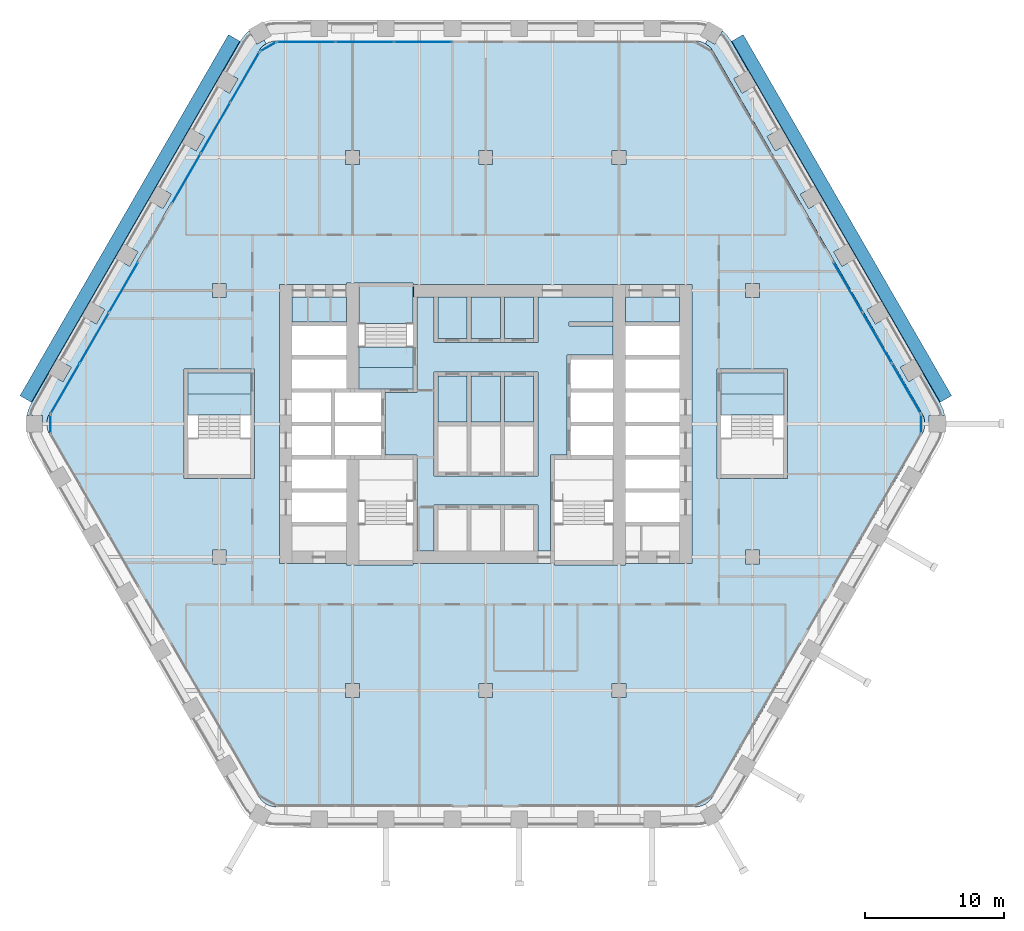
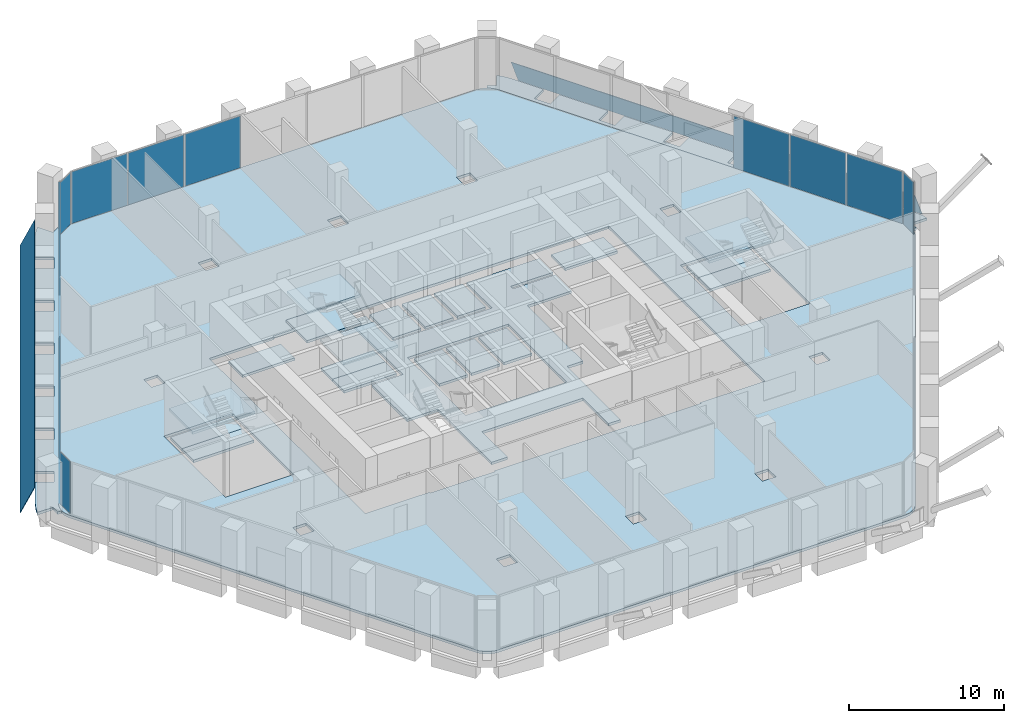
# One storey, part 12 of 24: 23 slabs, 17 plates, 10 elements without a shape of their own.
"""IFC4 building model written with IfcOpenShell, lengths in metres."""

from ifc_helpers import new_model, si_unit, direction, frame, origin, origin_2d, place, context, subcontext, project, spatial, polyline, rectangle, outline, extrude, material, layer, layer_set, type_object, element, aggregate, save


model = new_model("IFC4")

# Units and contexts
model_context = context("Model", 3, precision=1e-05, world=origin(), true_north=direction((0.0, 1.0)))
body_context = subcontext(model_context, "Body", "Model", "MODEL_VIEW")
ifc_project = project(units=[si_unit("LENGTHUNIT", "METRE"), si_unit("AREAUNIT", "SQUARE_METRE"), si_unit("VOLUMEUNIT", "CUBIC_METRE"), si_unit("PLANEANGLEUNIT", "RADIAN"), si_unit("MASSUNIT", "GRAM", prefix="KILO")], contexts=[model_context])

# Site, building, storey
site_placement = place(None, origin())
site = spatial("IfcSite", under=ifc_project, at=site_placement, CompositionType="ELEMENT")
building_placement = place(site_placement, origin())
building = spatial("IfcBuilding", under=site, at=building_placement, Name="Kolab Exchange Tower", CompositionType="ELEMENT")
storey_placement = place(building_placement, frame((0.0, 0.0, 86.89990234375)))
storey = spatial("IfcBuildingStorey", under=building, at=storey_placement, Name="L16", CompositionType="ELEMENT", Elevation=86.89990234375)

# Slabs
ifc_material_1 = material(Name="Concrete C35/45", Category="concrete")
ifc_layer_1 = layer(ifc_material_1, 0.199951171875)
ifc_layer_set_1 = layer_set([ifc_layer_1], Name="Concrete C35/45")
slab_type_1 = type_object("IfcSlabType", Name="FLOOR SLAB 200", PredefinedType="FLOOR", material=ifc_layer_set_1)
slab_1_placement = place(storey_placement, frame((0.0, 0.0, -0.199951171875)))
element("IfcSlab", 1, at=slab_1_placement, inside=storey, type_object=slab_type_1, Name="slab/L16/floor/0", PredefinedType="FLOOR", context=body_context, shape_type="SweptSolid", body=[
    extrude(outline(polyline([(16.366943359375, -26.848388671875), (31.434814453125, -0.75), (31.54541015625, -0.512939453125), (31.613037109375, -0.260498046875), (31.635986328125, 0.0), (31.613037109375, 0.260498046875), (31.54541015625, 0.512939453125), (31.434814453125, 0.75), (16.366943359375, 26.848388671875), (16.217041015625, 27.062744140625), (16.0322265625, 27.24755859375), (15.81787109375, 27.3974609375), (15.5810546875, 27.508056640625), (15.328369140625, 27.57568359375), (15.06787109375, 27.598388671875), (-15.06787109375, 27.598388671875), (-15.328369140625, 27.57568359375), (-15.5810546875, 27.508056640625), (-15.81787109375, 27.3974609375), (-16.0322265625, 27.24755859375), (-16.217041015625, 27.062744140625), (-16.366943359375, 26.848388671875), (-31.434814453125, 0.75), (-31.54541015625, 0.512939453125), (-31.613037109375, 0.260498046875), (-31.635986328125, 0.0), (-31.613037109375, -0.260498046875), (-31.54541015625, -0.512939453125), (-31.434814453125, -0.75), (-16.366943359375, -26.848388671875), (-16.217041015625, -27.062744140625), (-16.0322265625, -27.24755859375), (-15.81787109375, -27.3974609375), (-15.5810546875, -27.508056640625), (-15.328369140625, -27.57568359375), (-15.06787109375, -27.598388671875), (15.06787109375, -27.598388671875), (15.328369140625, -27.57568359375), (15.5810546875, -27.508056640625), (15.81787109375, -27.3974609375), (16.0322265625, -27.24755859375), (16.217041015625, -27.062744140625), (16.366943359375, -26.848388671875)]), holes=[polyline([(-13.949951171875, -10.050048828125), (-14.85009765625, -10.050048828125), (-14.85009765625, 10.050048828125), (-13.949951171875, 10.050048828125), (-10.050048828125, 10.050048828125), (-10.050048828125, 10.14990234375), (-9.14990234375, 10.14990234375), (-5.25, 10.14990234375), (-5.25, 10.050048828125), (9.14990234375, 10.050048828125), (10.050048828125, 10.050048828125), (13.949951171875, 10.050048828125), (14.85009765625, 10.050048828125), (14.85009765625, -10.050048828125), (13.949951171875, -10.050048828125), (10.050048828125, -10.050048828125), (10.050048828125, -10.14990234375), (9.14990234375, -10.14990234375), (4.949951171875, -10.14990234375), (4.949951171875, -10.050048828125), (-5.25, -10.050048828125), (-5.25, -10.14990234375), (-9.14990234375, -10.14990234375), (-10.050048828125, -10.14990234375), (-10.050048828125, -10.050048828125), (-13.949951171875, -10.050048828125)]), polyline([(-18.699951171875, -9.10009765625), (-18.699951171875, -10.10009765625), (-19.699951171875, -10.10009765625), (-19.699951171875, -9.10009765625), (-18.699951171875, -9.10009765625)]), polyline([(-21.449951171875, -3.949951171875), (-21.75, -3.949951171875), (-21.75, 3.949951171875), (-21.449951171875, 3.949951171875), (-16.949951171875, 3.949951171875), (-16.64990234375, 3.949951171875), (-16.64990234375, -3.949951171875), (-16.949951171875, -3.949951171875), (-21.449951171875, -3.949951171875)]), polyline([(-18.699951171875, 10.10009765625), (-18.699951171875, 9.10009765625), (-19.699951171875, 9.10009765625), (-19.699951171875, 10.10009765625), (-18.699951171875, 10.10009765625)]), polyline([(-9.10009765625, -18.699951171875), (-9.10009765625, -19.699951171875), (-10.10009765625, -19.699951171875), (-10.10009765625, -18.699951171875), (-9.10009765625, -18.699951171875)]), polyline([(-9.10009765625, 19.699951171875), (-9.10009765625, 18.699951171875), (-10.10009765625, 18.699951171875), (-10.10009765625, 19.699951171875), (-9.10009765625, 19.699951171875)]), polyline([(9.10009765625, -18.699951171875), (10.10009765625, -18.699951171875), (10.10009765625, -19.699951171875), (9.10009765625, -19.699951171875), (9.10009765625, -18.699951171875)]), polyline([(-0.5, -18.699951171875), (0.5, -18.699951171875), (0.5, -19.699951171875), (-0.5, -19.699951171875), (-0.5, -18.699951171875)]), polyline([(0.5, 19.699951171875), (0.5, 18.699951171875), (-0.5, 18.699951171875), (-0.5, 19.699951171875), (0.5, 19.699951171875)]), polyline([(10.10009765625, 19.699951171875), (10.10009765625, 18.699951171875), (9.10009765625, 18.699951171875), (9.10009765625, 19.699951171875), (10.10009765625, 19.699951171875)]), polyline([(19.699951171875, -9.10009765625), (19.699951171875, -10.10009765625), (18.699951171875, -10.10009765625), (18.699951171875, -9.10009765625), (19.699951171875, -9.10009765625)]), polyline([(21.449951171875, 3.949951171875), (21.75, 3.949951171875), (21.75, -3.949951171875), (21.449951171875, -3.949951171875), (16.949951171875, -3.949951171875), (16.64990234375, -3.949951171875), (16.64990234375, 3.949951171875), (16.949951171875, 3.949951171875), (21.449951171875, 3.949951171875)]), polyline([(19.699951171875, 10.10009765625), (19.699951171875, 9.10009765625), (18.699951171875, 9.10009765625), (18.699951171875, 10.10009765625), (19.699951171875, 10.10009765625)])]), origin(), (0.0, 0.0, 1.0), 0.199951171875),
])
slab_2_placement = place(storey_placement, frame((0.0, 0.0, -0.199951171875)))
element("IfcSlab", 2, at=slab_2_placement, inside=storey, type_object=slab_type_1, Name="slab/L16/floor/1", PredefinedType="FLOOR", context=body_context, shape_type="SweptSolid", body=[
    extrude(outline(polyline([(-4.949951171875, 9.14990234375), (-4.949951171875, 2.25), (-5.25, 2.25), (-7.25, 2.25), (-7.25, -2.25), (-5.25, -2.25), (-4.949951171875, -2.25), (-4.949951171875, -9.14990234375), (-3.75, -9.14990234375), (-3.75, -5.85009765625), (-3.449951171875, -5.85009765625), (-1.35009765625, -5.85009765625), (-1.050048828125, -5.85009765625), (1.050048828125, -5.85009765625), (1.35009765625, -5.85009765625), (3.449951171875, -5.85009765625), (3.75, -5.85009765625), (3.75, -9.14990234375), (4.64990234375, -9.14990234375), (4.64990234375, -2.25), (4.949951171875, -2.25), (5.85009765625, -2.25), (5.85009765625, 4.949951171875), (6.14990234375, 4.949951171875), (9.14990234375, 4.949951171875), (9.14990234375, 7.050048828125), (6.0, 7.050048828125), (6.0, 7.35009765625), (9.14990234375, 7.35009765625), (9.14990234375, 9.14990234375), (3.75, 9.14990234375), (3.75, 5.85009765625), (3.449951171875, 5.85009765625), (1.35009765625, 5.85009765625), (1.050048828125, 5.85009765625), (-1.050048828125, 5.85009765625), (-1.35009765625, 5.85009765625), (-3.449951171875, 5.85009765625), (-3.75, 5.85009765625), (-3.75, 9.14990234375), (-4.949951171875, 9.14990234375)]), holes=[polyline([(-3.75, -3.75), (-3.75, 3.75), (-3.449951171875, 3.75), (-1.35009765625, 3.75), (-1.050048828125, 3.75), (1.050048828125, 3.75), (1.35009765625, 3.75), (3.449951171875, 3.75), (3.75, 3.75), (3.75, -3.75), (3.449951171875, -3.75), (1.35009765625, -3.75), (1.050048828125, -3.75), (-1.050048828125, -3.75), (-1.35009765625, -3.75), (-3.449951171875, -3.75), (-3.75, -3.75)])]), origin(), (0.0, 0.0, 1.0), 0.199951171875),
])
slab_3_placement = place(storey_placement, frame((0.0, 0.0, -0.199951171875)))
element("IfcSlab", 3, at=slab_3_placement, inside=storey, type_object=slab_type_1, Name="slab/L16/floor/3", PredefinedType="FLOOR", context=body_context, shape_type="SweptSolid", body=[
    extrude(outline(polyline([(-10.050048828125, 9.14990234375), (-13.949951171875, 9.14990234375), (-13.949951171875, 7.35009765625), (-10.050048828125, 7.35009765625), (-10.050048828125, 9.14990234375)])), origin(), (0.0, 0.0, 1.0), 0.199951171875),
])
slab_4_placement = place(storey_placement, frame((0.0, 0.0, -0.199951171875)))
element("IfcSlab", 4, at=slab_4_placement, inside=storey, type_object=slab_type_1, Name="slab/L16/floor/5", PredefinedType="FLOOR", context=body_context, shape_type="SweptSolid", body=[
    extrude(outline(polyline([(13.949951171875, 9.14990234375), (10.050048828125, 9.14990234375), (10.050048828125, 7.35009765625), (13.949951171875, 7.35009765625), (13.949951171875, 9.14990234375)])), origin(), (0.0, 0.0, 1.0), 0.199951171875),
])
slab_5_placement = place(storey_placement, frame((0.0, 0.0, -0.199951171875)))
element("IfcSlab", 5, at=slab_5_placement, inside=storey, type_object=slab_type_1, Name="slab/L16/floor/7", PredefinedType="FLOOR", context=body_context, shape_type="SweptSolid", body=[
    extrude(outline(polyline([(-1.35009765625, 0.14990234375), (-1.35009765625, 3.449951171875), (-3.449951171875, 3.449951171875), (-3.449951171875, 0.14990234375), (-1.35009765625, 0.14990234375)])), origin(), (0.0, 0.0, 1.0), 0.199951171875),
])
slab_6_placement = place(storey_placement, frame((0.0, 0.0, -0.199951171875)))
element("IfcSlab", 6, at=slab_6_placement, inside=storey, type_object=slab_type_1, Name="slab/L16/floor/9", PredefinedType="FLOOR", context=body_context, shape_type="SweptSolid", body=[
    extrude(outline(polyline([(-1.050048828125, 3.449951171875), (-1.050048828125, 0.14990234375), (1.050048828125, 0.14990234375), (1.050048828125, 3.449951171875), (-1.050048828125, 3.449951171875)])), origin(), (0.0, 0.0, 1.0), 0.199951171875),
])
slab_7_placement = place(storey_placement, frame((0.0, 0.0, -0.199951171875)))
element("IfcSlab", 7, at=slab_7_placement, inside=storey, type_object=slab_type_1, Name="slab/L16/floor/11", PredefinedType="FLOOR", context=body_context, shape_type="SweptSolid", body=[
    extrude(outline(polyline([(1.35009765625, 0.14990234375), (3.449951171875, 0.14990234375), (3.449951171875, 3.449951171875), (1.35009765625, 3.449951171875), (1.35009765625, 0.14990234375)])), origin(), (0.0, 0.0, 1.0), 0.199951171875),
])
slab_8_placement = place(storey_placement, frame((0.0, 0.0, -0.199951171875)))
element("IfcSlab", 8, at=slab_8_placement, inside=storey, type_object=slab_type_1, Name="slab/L16/floor/12", PredefinedType="FLOOR", context=body_context, shape_type="SweptSolid", body=[
    extrude(outline(polyline([(-21.449951171875, 3.64990234375), (-21.449951171875, 2.14990234375), (-16.949951171875, 2.14990234375), (-16.949951171875, 3.64990234375), (-21.449951171875, 3.64990234375)])), origin(), (0.0, 0.0, 1.0), 0.199951171875),
])
slab_9_placement = place(storey_placement, frame((0.0, 0.0, -0.199951171875)))
element("IfcSlab", 9, at=slab_9_placement, inside=storey, type_object=slab_type_1, Name="slab/L16/floor/13", PredefinedType="FLOOR", context=body_context, shape_type="SweptSolid", body=[
    extrude(outline(polyline([(21.449951171875, 3.64990234375), (16.949951171875, 3.64990234375), (16.949951171875, 2.14990234375), (21.449951171875, 2.14990234375), (21.449951171875, 3.64990234375)])), origin(), (0.0, 0.0, 1.0), 0.199951171875),
])
slab_10_placement = place(storey_placement, frame((0.0, 0.0, -0.199951171875)))
element("IfcSlab", 10, at=slab_10_placement, inside=storey, type_object=slab_type_1, Name="slab/L16/floor/15", PredefinedType="FLOOR", context=body_context, shape_type="SweptSolid", body=[
    extrude(outline(polyline([(-1.35009765625, 6.14990234375), (-1.35009765625, 9.14990234375), (-3.449951171875, 9.14990234375), (-3.449951171875, 6.14990234375), (-1.35009765625, 6.14990234375)])), origin(), (0.0, 0.0, 1.0), 0.199951171875),
])
slab_11_placement = place(storey_placement, frame((0.0, 0.0, -0.199951171875)))
element("IfcSlab", 11, at=slab_11_placement, inside=storey, type_object=slab_type_1, Name="slab/L16/floor/17", PredefinedType="FLOOR", context=body_context, shape_type="SweptSolid", body=[
    extrude(outline(polyline([(-1.050048828125, 9.14990234375), (-1.050048828125, 6.14990234375), (1.050048828125, 6.14990234375), (1.050048828125, 9.14990234375), (-1.050048828125, 9.14990234375)])), origin(), (0.0, 0.0, 1.0), 0.199951171875),
])
slab_12_placement = place(storey_placement, frame((0.0, 0.0, -0.199951171875)))
element("IfcSlab", 12, at=slab_12_placement, inside=storey, type_object=slab_type_1, Name="slab/L16/floor/19", PredefinedType="FLOOR", context=body_context, shape_type="SweptSolid", body=[
    extrude(outline(polyline([(1.35009765625, 6.14990234375), (3.449951171875, 6.14990234375), (3.449951171875, 9.14990234375), (1.35009765625, 9.14990234375), (1.35009765625, 6.14990234375)])), origin(), (0.0, 0.0, 1.0), 0.199951171875),
])
slab_13_placement = place(storey_placement, frame((0.0, 0.0, -0.199951171875)))
element("IfcSlab", 13, at=slab_13_placement, inside=storey, type_object=slab_type_1, Name="slab/L16/floor/22", PredefinedType="FLOOR", context=body_context, shape_type="SweptSolid", body=[
    extrude(outline(polyline([(-5.25, 4.050048828125), (-9.14990234375, 4.050048828125), (-9.14990234375, 2.550048828125), (-7.550048828125, 2.550048828125), (-7.25, 2.550048828125), (-5.25, 2.550048828125), (-5.25, 4.050048828125)])), origin(), (0.0, 0.0, 1.0), 0.199951171875),
])
ifc_layer_2 = layer(ifc_material_1, 0.199951171875)
ifc_layer_set_2 = layer_set([ifc_layer_2], Name="Concrete C35/45")
slab_type_2 = type_object("IfcSlabType", Name="LOGGIA SLAB 200", PredefinedType="FLOOR", material=ifc_layer_set_2)
slab_14_placement = place(storey_placement, frame((0.0, 0.0, -0.199951171875)))
element("IfcSlab", 14, at=slab_14_placement, inside=storey, type_object=slab_type_2, Name="slab/L16/loggia/1-0", PredefinedType="FLOOR", context=body_context, shape_type="SweptSolid", body=[
    extrude(outline(polyline([(31.635986328125, 0.0), (31.935791015625, 0.0), (31.935791015625, 0.60009765625), (33.069091796875, 0.60009765625), (32.955078125, 1.026123046875), (32.73388671875, 1.5), (31.5, 3.63720703125), (30.460693359375, 3.037353515625), (29.86083984375, 4.076416015625), (30.89990234375, 4.676513671875), (29.10009765625, 7.794189453125), (28.060791015625, 7.1943359375), (27.460693359375, 8.2333984375), (28.5, 8.83349609375), (26.699951171875, 11.951171875), (25.660888671875, 11.35107421875), (25.060791015625, 12.390380859375), (26.10009765625, 12.990478515625), (24.300048828125, 16.108154296875), (23.2607421875, 15.508056640625), (22.660888671875, 16.54736328125), (23.699951171875, 17.147216796875), (21.89990234375, 20.264892578125), (20.86083984375, 19.6650390625), (20.2607421875, 20.704345703125), (21.300048828125, 21.30419921875), (19.5, 24.421875), (18.460693359375, 23.822021484375), (17.86083984375, 24.861083984375), (18.89990234375, 25.461181640625), (17.666015625, 27.598388671875), (17.365966796875, 28.02685546875), (17.05419921875, 28.338623046875), (16.487548828125, 27.357177734375), (15.968017578125, 27.6572265625), (15.81787109375, 27.3974609375), (16.0322265625, 27.24755859375), (16.217041015625, 27.062744140625), (16.366943359375, 26.848388671875), (31.434814453125, 0.75), (31.54541015625, 0.512939453125), (31.613037109375, 0.260498046875), (31.635986328125, 0.0)])), origin(), (0.0, 0.0, 1.0), 0.199951171875),
])
slab_15_placement = place(storey_placement, frame((0.0, 0.0, -0.199951171875)))
element("IfcSlab", 15, at=slab_15_placement, inside=storey, type_object=slab_type_2, Name="slab/L16/loggia/5-0", PredefinedType="FLOOR", context=body_context, shape_type="SweptSolid", body=[
    extrude(outline(polyline([(-15.81787109375, 27.3974609375), (-15.968017578125, 27.6572265625), (-16.487548828125, 27.357177734375), (-17.05419921875, 28.338623046875), (-17.365966796875, 28.02685546875), (-17.666015625, 27.598388671875), (-18.89990234375, 25.461181640625), (-17.86083984375, 24.861083984375), (-18.460693359375, 23.822021484375), (-19.5, 24.421875), (-21.300048828125, 21.30419921875), (-20.2607421875, 20.704345703125), (-20.86083984375, 19.6650390625), (-21.89990234375, 20.264892578125), (-23.699951171875, 17.147216796875), (-22.660888671875, 16.54736328125), (-23.2607421875, 15.508056640625), (-24.300048828125, 16.108154296875), (-26.10009765625, 12.990478515625), (-25.060791015625, 12.390380859375), (-25.660888671875, 11.35107421875), (-26.699951171875, 11.951171875), (-28.5, 8.83349609375), (-27.460693359375, 8.2333984375), (-28.060791015625, 7.1943359375), (-29.10009765625, 7.794189453125), (-30.89990234375, 4.676513671875), (-29.86083984375, 4.076416015625), (-30.460693359375, 3.037353515625), (-31.5, 3.63720703125), (-32.73388671875, 1.5), (-32.955078125, 1.026123046875), (-33.069091796875, 0.60009765625), (-31.935791015625, 0.60009765625), (-31.935791015625, 0.0), (-31.635986328125, 0.0), (-31.613037109375, 0.260498046875), (-31.54541015625, 0.512939453125), (-31.434814453125, 0.75), (-16.366943359375, 26.848388671875), (-16.217041015625, 27.062744140625), (-16.0322265625, 27.24755859375), (-15.81787109375, 27.3974609375)])), origin(), (0.0, 0.0, 1.0), 0.199951171875),
])

# Plates
ifc_material_2 = material(Name="Laminated glass, clear", Category="glass")
ifc_layer_3 = layer(ifc_material_2, 0.0400390625)
ifc_layer_set_3 = layer_set([ifc_layer_3], Name="Laminated glass, clear")
plate_type_1 = type_object("IfcPlateType", Name="OUTER SKIN LAMINATED GLASS SHEET 40", PredefinedType="SHEET", material=ifc_layer_set_3)
plate_1_placement = place(storey_placement, frame((18.540283203125, 28.04541015625, -0.73291015625), z_axis=(0.78488749746, 0.453155039209, 0.422613448403), x_axis=(0.499999167166, -0.866025884618, 2.126414e-06)))
element("IfcPlate", 16, at=plate_1_placement, inside=storey, type_object=plate_type_1, Name="Outer skin", PredefinedType="SHEET", context=body_context, shape_type="SweptSolid", body=[
    extrude(outline(polyline([(0.0, 0.0), (30.035931798469555, 0.0), (30.035821559359643, -2.2341565300489714), (-2.087711834573829e-05, -2.2342974723957343), (0.0, 0.0)])), origin(), (0.0, 0.0, -1.0), 0.0400390625),
])
plate_2_placement = place(storey_placement, frame((-33.55810546875, 2.033447265625, -0.73291015625), z_axis=(-0.78488749746, 0.453155039209, 0.422613448403), x_axis=(0.499999167166, 0.866025884618, -2.126414e-06)))
element("IfcPlate", 17, at=plate_2_placement, inside=storey, type_object=plate_type_1, Name="Outer skin", PredefinedType="SHEET", context=body_context, shape_type="SweptSolid", body=[
    extrude(outline(polyline([(0.0, 0.0), (30.035931798469555, 0.0), (30.035952675587897, -2.234297472395734), (0.00011023910991124468, -2.234156530048972), (0.0, 0.0)])), origin(), (0.0, 0.0, -1.0), 0.0400390625),
])

# Stair, slabs
ifc_material_3 = material(Name="Concrete C50/60", Category="concrete")
stair_type_1 = type_object("IfcStairType", Name="STAIR ST1 RISER 160.7", PredefinedType="DOUBLE_RETURN_STAIR", material=ifc_material_3)
stair_1_placement = place(storey_placement, origin())
stair_1 = element("IfcStair", 18, at=stair_1_placement, inside=storey, type_object=stair_type_1, Name="Stair 1", PredefinedType="DOUBLE_RETURN_STAIR")
ifc_layer_4 = layer(ifc_material_3, 0.199951171875)
ifc_layer_set_4 = layer_set([ifc_layer_4], Name="Concrete C50/60")
slab_type_3 = type_object("IfcSlabType", Name="STAIR LANDING 200", PredefinedType="LANDING", material=ifc_layer_set_4)
slab_16_placement = place(storey_placement, frame((0.0, 0.0, -0.199951171875)))
slab_16 = element("IfcSlab", 19, at=slab_16_placement, type_object=slab_type_3, Name="ST1 landing 1", PredefinedType="LANDING", context=body_context, shape_type="SweptSolid", body=[
    extrude(outline(polyline([(-9.14990234375, 4.050048828125), (-5.25, 4.050048828125), (-5.25, 5.550048828125), (-9.14990234375, 5.550048828125), (-9.14990234375, 4.050048828125)])), origin(), (0.0, 0.0, 1.0), 0.199951171875),
])
slab_17_placement = place(storey_placement, frame((0.0, 0.0, 0.925048828125)))
slab_17 = element("IfcSlab", 20, at=slab_17_placement, type_object=slab_type_3, Name="ST1 landing 2", PredefinedType="LANDING", context=body_context, shape_type="SweptSolid", body=[
    extrude(outline(polyline([(-9.2099609375, 7.22998046875), (-5.18994140625, 7.22998046875), (-5.18994140625, 9.909912109375), (-9.2099609375, 9.909912109375), (-9.2099609375, 7.22998046875)])), origin(), (0.0, 0.0, 1.0), 0.199951171875),
])
slab_18_placement = place(storey_placement, frame((0.0, 0.0, 2.050048828125)))
slab_18 = element("IfcSlab", 21, at=slab_18_placement, type_object=slab_type_3, Name="ST1 landing 3", PredefinedType="LANDING", context=body_context, shape_type="SweptSolid", body=[
    extrude(outline(polyline([(-9.2099609375, 2.489990234375), (-5.18994140625, 2.489990234375), (-5.18994140625, 5.550048828125), (-9.2099609375, 5.550048828125), (-9.2099609375, 2.489990234375)])), origin(), (0.0, 0.0, 1.0), 0.199951171875),
])
slab_19_placement = place(storey_placement, frame((0.0, 0.0, 3.175048828125)))
slab_19 = element("IfcSlab", 22, at=slab_19_placement, type_object=slab_type_3, Name="ST1 landing 4", PredefinedType="LANDING", context=body_context, shape_type="SweptSolid", body=[
    extrude(outline(polyline([(-9.14990234375, 7.22998046875), (-5.25, 7.22998046875), (-5.25, 9.909912109375), (-9.14990234375, 9.909912109375), (-9.14990234375, 7.22998046875)])), origin(), (0.0, 0.0, 1.0), 0.199951171875),
])
aggregate(stair_1, [slab_16, slab_17, slab_18, slab_19])

stair_type_2 = type_object("IfcStairType", Name="STAIR ST4 RISER 160.7", PredefinedType="DOUBLE_RETURN_STAIR", material=ifc_material_3)
stair_2_placement = place(storey_placement, origin())
stair_2 = element("IfcStair", 23, at=stair_2_placement, inside=storey, type_object=stair_type_2, Name="Stair 4", PredefinedType="DOUBLE_RETURN_STAIR")
slab_20_placement = place(storey_placement, frame((0.0, 0.0, -0.199951171875)))
slab_20 = element("IfcSlab", 24, at=slab_20_placement, type_object=slab_type_3, Name="ST4 landing 1", PredefinedType="LANDING", context=body_context, shape_type="SweptSolid", body=[
    extrude(outline(polyline([(16.949951171875, 0.64990234375), (21.449951171875, 0.64990234375), (21.449951171875, 2.14990234375), (16.949951171875, 2.14990234375), (16.949951171875, 0.64990234375)])), origin(), (0.0, 0.0, 1.0), 0.199951171875),
])
slab_21_placement = place(storey_placement, frame((0.0, 0.0, 2.050048828125)))
slab_21 = element("IfcSlab", 25, at=slab_21_placement, type_object=slab_type_3, Name="ST4 landing 3", PredefinedType="LANDING", context=body_context, shape_type="SweptSolid", body=[
    extrude(outline(polyline([(16.889892578125, 0.64990234375), (21.510009765625, 0.64990234375), (21.510009765625, 3.7099609375), (16.889892578125, 3.7099609375), (16.889892578125, 0.64990234375)])), origin(), (0.0, 0.0, 1.0), 0.199951171875),
])
aggregate(stair_2, [slab_20, slab_21])

stair_type_3 = type_object("IfcStairType", Name="STAIR ST5 RISER 160.7", PredefinedType="DOUBLE_RETURN_STAIR", material=ifc_material_3)
stair_3_placement = place(storey_placement, origin())
stair_3 = element("IfcStair", 26, at=stair_3_placement, inside=storey, type_object=stair_type_3, Name="Stair 5", PredefinedType="DOUBLE_RETURN_STAIR")
slab_22_placement = place(storey_placement, frame((0.0, 0.0, -0.199951171875)))
slab_22 = element("IfcSlab", 27, at=slab_22_placement, type_object=slab_type_3, Name="ST5 landing 1", PredefinedType="LANDING", context=body_context, shape_type="SweptSolid", body=[
    extrude(outline(polyline([(-21.449951171875, 0.64990234375), (-16.949951171875, 0.64990234375), (-16.949951171875, 2.14990234375), (-21.449951171875, 2.14990234375), (-21.449951171875, 0.64990234375)])), origin(), (0.0, 0.0, 1.0), 0.199951171875),
])
slab_23_placement = place(storey_placement, frame((0.0, 0.0, 2.050048828125)))
slab_23 = element("IfcSlab", 28, at=slab_23_placement, type_object=slab_type_3, Name="ST5 landing 3", PredefinedType="LANDING", context=body_context, shape_type="SweptSolid", body=[
    extrude(outline(polyline([(-21.510009765625, 0.64990234375), (-16.889892578125, 0.64990234375), (-16.889892578125, 3.7099609375), (-21.510009765625, 3.7099609375), (-21.510009765625, 0.64990234375)])), origin(), (0.0, 0.0, 1.0), 0.199951171875),
])
aggregate(stair_3, [slab_22, slab_23])

# Curtain wall, plates
ifc_material_4 = material(Name="Aluminium EN AW-6063 T6", Category="aluminium")
curtain_wall_type = type_object("IfcCurtainWallType", Name="UNITISED LOWER MID ZONE CURTAIN WALL", PredefinedType="NOTDEFINED", material=ifc_material_4)
curtain_wall_1_placement = place(storey_placement, origin())
curtain_wall_1 = element("IfcCurtainWall", 29, at=curtain_wall_1_placement, inside=storey, type_object=curtain_wall_type, Name="cw/L16/F1-1", PredefinedType="NOTDEFINED")
ifc_material_5 = material(Name="Clear insulated glazing unit", Category="glass")
ifc_layer_5 = layer(ifc_material_5, 0.02587890625)
ifc_layer_set_5 = layer_set([ifc_layer_5], Name="Clear insulated glazing unit")
plate_type_2 = type_object("IfcPlateType", Name="UNITISED LOWER MID ZONE GLASS PANEL 26", PredefinedType="CURTAIN_PANEL", material=ifc_layer_set_5)
plate_3_placement = place(storey_placement, frame((-12.941650390625, 27.5185546875, 0.06005859375), z_axis=(0.0, 0.0, 1.0), x_axis=(1.0, 0.0, 0.0)))
plate_3 = element("IfcPlate", 30, at=plate_3_placement, type_object=plate_type_2, Name="CW2 panel 1.1", PredefinedType="CURTAIN_PANEL", context=body_context, shape_type="SweptSolid", body=[
    extrude(rectangle(XDim=4.132568359375, YDim=0.02587890625, at=origin_2d()), origin(), (0.0, 0.0, 1.0), 4.080078125),
])
plate_4_placement = place(storey_placement, frame((-8.73388671875, 27.5185546875, 0.06005859375), z_axis=(0.0, 0.0, 1.0), x_axis=(1.0, 0.0, 0.0)))
plate_4 = element("IfcPlate", 31, at=plate_4_placement, type_object=plate_type_2, Name="CW2 panel 2.1", PredefinedType="CURTAIN_PANEL", context=body_context, shape_type="SweptSolid", body=[
    extrude(rectangle(XDim=4.16259765625, YDim=0.02587890625, at=origin_2d()), origin(), (0.0, 0.0, 1.0), 4.080078125),
])
plate_5_placement = place(storey_placement, frame((-4.5263671875, 27.5185546875, 0.06005859375), z_axis=(0.0, 0.0, 1.0), x_axis=(1.0, 0.0, 0.0)))
plate_5 = element("IfcPlate", 32, at=plate_5_placement, type_object=plate_type_2, Name="CW2 panel 3.1", PredefinedType="CURTAIN_PANEL", context=body_context, shape_type="SweptSolid", body=[
    extrude(rectangle(XDim=4.132568359375, YDim=0.02587890625, at=origin_2d()), origin(), (0.0, 0.0, 1.0), 4.080078125),
])
aggregate(curtain_wall_1, [plate_3, plate_4, plate_5])

curtain_wall_2_placement = place(storey_placement, origin())
curtain_wall_2 = element("IfcCurtainWall", 33, at=curtain_wall_2_placement, inside=storey, type_object=curtain_wall_type, Name="cw/L16/F2-2", PredefinedType="NOTDEFINED")
plate_6_placement = place(storey_placement, frame((26.0947265625, 9.83935546875, 0.06005859375), z_axis=(0.0, 0.0, 1.0), x_axis=(0.499999958358, -0.866025427826, 0.0)))
plate_6 = element("IfcPlate", 34, at=plate_6_placement, type_object=plate_type_2, Name="CW2 panel 1.1", PredefinedType="CURTAIN_PANEL", context=body_context, shape_type="SweptSolid", body=[
    extrude(rectangle(XDim=4.132568359375, YDim=0.02587890625, at=origin_2d()), origin(), (0.0, 0.0, 1.0), 4.080078125),
])
plate_7_placement = place(storey_placement, frame((28.19873046875, 6.1953125, 0.06005859375), z_axis=(0.0, 0.0, 1.0), x_axis=(0.499999958358, -0.866025427826, 0.0)))
plate_7 = element("IfcPlate", 35, at=plate_7_placement, type_object=plate_type_2, Name="CW2 panel 2.1", PredefinedType="CURTAIN_PANEL", context=body_context, shape_type="SweptSolid", body=[
    extrude(rectangle(XDim=4.16259765625, YDim=0.02587890625, at=origin_2d()), origin(), (0.0, 0.0, 1.0), 4.080078125),
])
plate_8_placement = place(storey_placement, frame((30.302490234375, 2.551513671875, 0.06005859375), z_axis=(0.0, 0.0, 1.0), x_axis=(0.499999958358, -0.866025427826, 0.0)))
plate_8 = element("IfcPlate", 36, at=plate_8_placement, type_object=plate_type_2, Name="CW2 panel 3.1", PredefinedType="CURTAIN_PANEL", context=body_context, shape_type="SweptSolid", body=[
    extrude(rectangle(XDim=4.132568359375, YDim=0.02587890625, at=origin_2d()), origin(), (0.0, 0.0, 1.0), 4.080078125),
])
aggregate(curtain_wall_2, [plate_6, plate_7, plate_8])

curtain_wall_3_placement = place(storey_placement, origin())
curtain_wall_3 = element("IfcCurtainWall", 37, at=curtain_wall_3_placement, inside=storey, type_object=curtain_wall_type, Name="cw/L16/F6-1", PredefinedType="NOTDEFINED")
plate_9_placement = place(storey_placement, frame((-30.302490234375, 2.551513671875, 0.06005859375), z_axis=(0.0, 0.0, 1.0), x_axis=(0.499999958358, 0.866025427826, 0.0)))
plate_9 = element("IfcPlate", 38, at=plate_9_placement, type_object=plate_type_2, Name="CW2 panel 1.1", PredefinedType="CURTAIN_PANEL", context=body_context, shape_type="SweptSolid", body=[
    extrude(rectangle(XDim=4.132568359375, YDim=0.02587890625, at=origin_2d()), origin(), (0.0, 0.0, 1.0), 4.080078125),
])
plate_10_placement = place(storey_placement, frame((-28.19873046875, 6.1953125, 0.06005859375), z_axis=(0.0, 0.0, 1.0), x_axis=(0.499999958358, 0.866025427826, 0.0)))
plate_10 = element("IfcPlate", 39, at=plate_10_placement, type_object=plate_type_2, Name="CW2 panel 2.1", PredefinedType="CURTAIN_PANEL", context=body_context, shape_type="SweptSolid", body=[
    extrude(rectangle(XDim=4.16259765625, YDim=0.02587890625, at=origin_2d()), origin(), (0.0, 0.0, 1.0), 4.080078125),
])
plate_11_placement = place(storey_placement, frame((-26.0947265625, 9.83935546875, 0.06005859375), z_axis=(0.0, 0.0, 1.0), x_axis=(0.499999958358, 0.866025427826, 0.0)))
plate_11 = element("IfcPlate", 40, at=plate_11_placement, type_object=plate_type_2, Name="CW2 panel 3.1", PredefinedType="CURTAIN_PANEL", context=body_context, shape_type="SweptSolid", body=[
    extrude(rectangle(XDim=4.132568359375, YDim=0.02587890625, at=origin_2d()), origin(), (0.0, 0.0, 1.0), 4.080078125),
])
aggregate(curtain_wall_3, [plate_9, plate_10, plate_11])

curtain_wall_4_placement = place(storey_placement, origin())
curtain_wall_4 = element("IfcCurtainWall", 41, at=curtain_wall_4_placement, inside=storey, type_object=curtain_wall_type, Name="cw/L16/F6-2", PredefinedType="NOTDEFINED")
plate_12_placement = place(storey_placement, frame((-21.568603515625, 17.67919921875, 0.06005859375), z_axis=(0.0, 0.0, 1.0), x_axis=(0.500000017564, 0.866025393644, 0.0)))
plate_12 = element("IfcPlate", 42, at=plate_12_placement, type_object=plate_type_2, Name="CW2 panel 1.1", PredefinedType="CURTAIN_PANEL", context=body_context, shape_type="SweptSolid", body=[
    extrude(rectangle(XDim=4.132568359375, YDim=0.02587890625, at=origin_2d()), origin(), (0.0, 0.0, 1.0), 4.080078125),
])
plate_13_placement = place(storey_placement, frame((-19.464599609375, 21.322998046875, 0.06005859375), z_axis=(0.0, 0.0, 1.0), x_axis=(0.500000017564, 0.866025393644, 0.0)))
plate_13 = element("IfcPlate", 43, at=plate_13_placement, type_object=plate_type_2, Name="CW2 panel 2.1", PredefinedType="CURTAIN_PANEL", context=body_context, shape_type="SweptSolid", body=[
    extrude(rectangle(XDim=4.16259765625, YDim=0.02587890625, at=origin_2d()), origin(), (0.0, 0.0, 1.0), 4.080078125),
])
plate_14_placement = place(storey_placement, frame((-17.36083984375, 24.967041015625, 0.06005859375), z_axis=(0.0, 0.0, 1.0), x_axis=(0.500000017564, 0.866025393644, 0.0)))
plate_14 = element("IfcPlate", 44, at=plate_14_placement, type_object=plate_type_2, Name="CW2 panel 3.1", PredefinedType="CURTAIN_PANEL", context=body_context, shape_type="SweptSolid", body=[
    extrude(rectangle(XDim=4.132568359375, YDim=0.02587890625, at=origin_2d()), origin(), (0.0, 0.0, 1.0), 4.080078125),
])
aggregate(curtain_wall_4, [plate_12, plate_13, plate_14])

# Curtain wall, plate
curtain_wall_5_placement = place(storey_placement, origin())
curtain_wall_5 = element("IfcCurtainWall", 45, at=curtain_wall_5_placement, inside=storey, type_object=curtain_wall_type, Name="cw/L16/F2F3-corner", PredefinedType="NOTDEFINED")
plate_15_placement = place(storey_placement, frame((31.36572265625, 0.0, 0.06005859375), z_axis=(0.0, 0.0, 1.0), x_axis=(0.0, -1.0, 0.0)))
plate_15 = element("IfcPlate", 46, at=plate_15_placement, type_object=plate_type_2, Name="CW2 panel 1.1", PredefinedType="CURTAIN_PANEL", context=body_context, shape_type="SweptSolid", body=[
    extrude(rectangle(XDim=1.300048828125, YDim=0.02587890625, at=origin_2d()), origin(), (0.0, 0.0, 1.0), 4.080078125),
])
aggregate(curtain_wall_5, [plate_15])

curtain_wall_6_placement = place(storey_placement, origin())
curtain_wall_6 = element("IfcCurtainWall", 47, at=curtain_wall_6_placement, inside=storey, type_object=curtain_wall_type, Name="cw/L16/F5F6-corner", PredefinedType="NOTDEFINED")
plate_16_placement = place(storey_placement, frame((-31.36572265625, 0.0, 0.06005859375), z_axis=(0.0, 0.0, 1.0), x_axis=(0.0, 1.0, 0.0)))
plate_16 = element("IfcPlate", 48, at=plate_16_placement, type_object=plate_type_2, Name="CW2 panel 1.1", PredefinedType="CURTAIN_PANEL", context=body_context, shape_type="SweptSolid", body=[
    extrude(rectangle(XDim=1.300048828125, YDim=0.02587890625, at=origin_2d()), origin(), (0.0, 0.0, 1.0), 4.080078125),
])
aggregate(curtain_wall_6, [plate_16])

curtain_wall_7_placement = place(storey_placement, origin())
curtain_wall_7 = element("IfcCurtainWall", 49, at=curtain_wall_7_placement, inside=storey, type_object=curtain_wall_type, Name="cw/L16/F6F1-corner", PredefinedType="NOTDEFINED")
plate_17_placement = place(storey_placement, frame((-15.682861328125, 27.16357421875, 0.06005859375), z_axis=(0.0, 0.0, 1.0), x_axis=(0.866025390869, 0.50000002237, 0.0)))
plate_17 = element("IfcPlate", 50, at=plate_17_placement, type_object=plate_type_2, Name="CW2 panel 1.1", PredefinedType="CURTAIN_PANEL", context=body_context, shape_type="SweptSolid", body=[
    extrude(rectangle(XDim=1.300048828125, YDim=0.02587890625, at=origin_2d()), origin(), (0.0, 0.0, 1.0), 4.080078125),
])
aggregate(curtain_wall_7, [plate_17])

save(model, "model.ifc")
